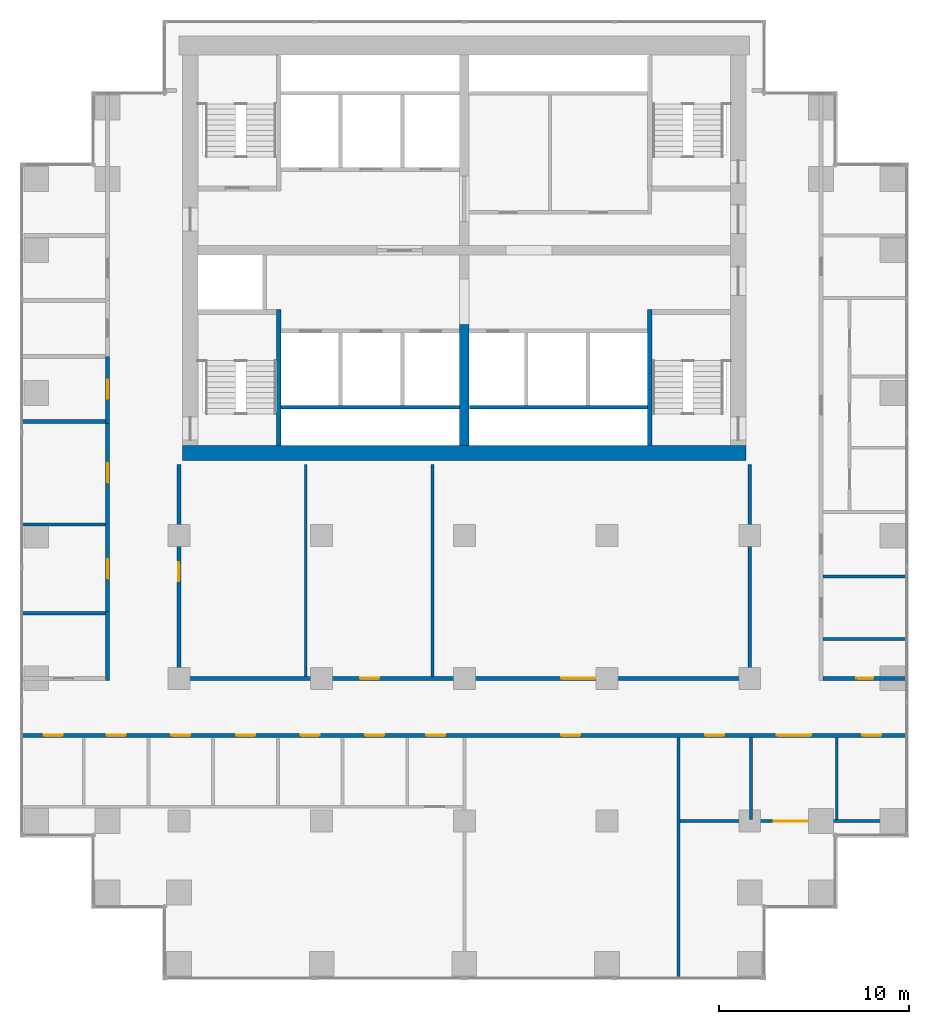
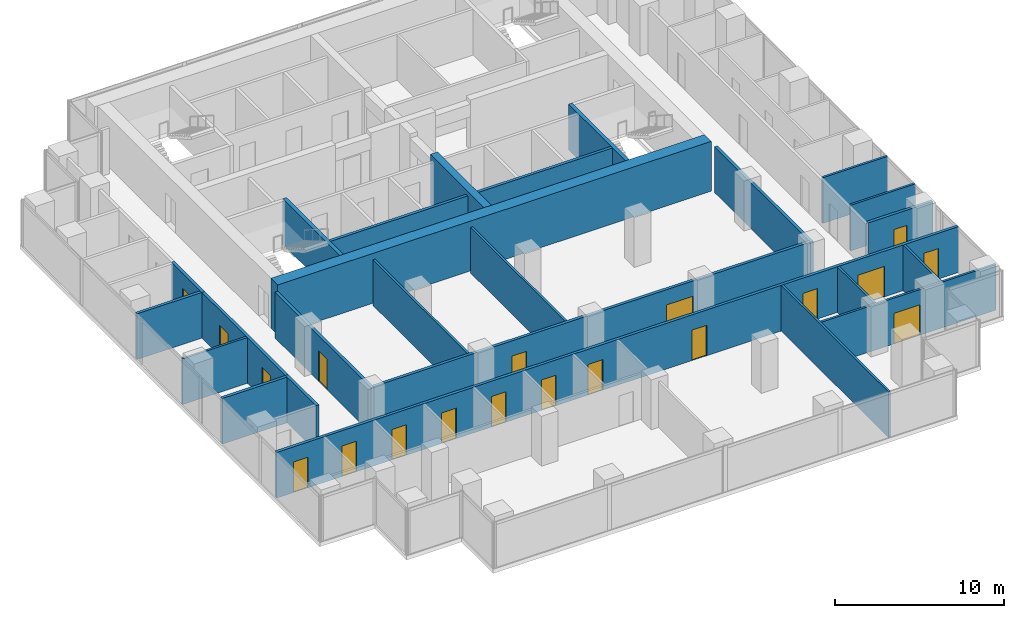
# One storey, part 7 of 11: 25 walls, 19 doors, 19 openings.
"""IFC4 building model written with IfcOpenShell, lengths in metres."""

from ifc_helpers import new_model, si_unit, direction, frame, frame_2d, origin, place, context, subcontext, project, spatial, rectangle, extrude, material, layer, layer_set, type_object, element, fill, save


model = new_model("IFC4")

# Units and contexts
model_context = context("Model", 3, precision=1e-05, world=origin(), true_north=direction((0.0, 1.0)))
body_context = subcontext(model_context, "Body", "Model", "MODEL_VIEW")
ifc_project = project(units=[si_unit("LENGTHUNIT", "METRE"), si_unit("AREAUNIT", "SQUARE_METRE"), si_unit("VOLUMEUNIT", "CUBIC_METRE"), si_unit("PLANEANGLEUNIT", "RADIAN"), si_unit("MASSUNIT", "GRAM", prefix="KILO")], contexts=[model_context])

# Site, building, storey
site_placement = place(None, origin())
site = spatial("IfcSite", under=ifc_project, at=site_placement, CompositionType="ELEMENT")
building_placement = place(site_placement, origin())
building = spatial("IfcBuilding", under=site, at=building_placement, Name="Pilkhan Gate Tower", CompositionType="ELEMENT")
storey_placement = place(building_placement, frame((0.0, 0.0, 121.60009765625)))
storey = spatial("IfcBuildingStorey", under=building, at=storey_placement, Name="L30", CompositionType="ELEMENT", Elevation=121.60009765625)

# Wall
ifc_material_1 = material(Name="Concrete C60/75", Category="concrete")
ifc_layer_1 = layer(ifc_material_1, 0.800048828125)
ifc_layer_set_1 = layer_set([ifc_layer_1], Name="Core wall CW800 C60/75")
wall_type_1 = type_object("IfcWallType", Name="Core wall CW800 C60/75", PredefinedType="SHEAR", material=ifc_layer_set_1)
wall_1_placement = place(storey_placement, frame((60.199951171875, 71.85009765625, 0.0), z_axis=(0.0, 0.0, 1.0), x_axis=(1.0, 0.0, 0.0)))
element("IfcWall", 1, at=wall_1_placement, inside=storey, type_object=wall_type_1, Name="Core wall S L30", PredefinedType="SHEAR", context=body_context, shape_type="SweptSolid", body=[
    extrude(rectangle(XDim=29.60009765625, YDim=0.800048828125, at=frame_2d((14.800048828125, 0.0))), origin(), (0.0, 0.0, 1.0), 3.599853515625),
])

# Wall, openings, doors
ifc_material_2 = material(Name="Dense blockwork", Category="masonry")
ifc_layer_2 = layer(ifc_material_2, 0.199951171875)
ifc_layer_set_2 = layer_set([ifc_layer_2], Name="Corridor wall FW200")
wall_type_2 = type_object("IfcWallType", Name="Corridor wall FW200", PredefinedType="PARTITIONING", material=ifc_layer_set_2)
wall_2_placement = place(storey_placement, frame((51.735107421875, 57.0, 0.0), z_axis=(0.0, 0.0, 1.0), x_axis=(1.0, 0.0, 0.0)))
wall_2 = element("IfcWall", 2, at=wall_2_placement, inside=storey, type_object=wall_type_2, Name="Partition L30", PredefinedType="PARTITIONING", context=body_context, shape_type="SweptSolid", body=[
    extrude(rectangle(XDim=46.52978515625, YDim=0.199951171875, at=frame_2d((23.264892578125, 0.0))), origin(), (0.0, 0.0, 1.0), 3.2998046875),
])
opening_1_placement = place(wall_2_placement, frame((21.264892578125, 0.0, 0.0)))
opening_1 = element("IfcOpeningElement", 3, at=opening_1_placement, cuts=wall_2, Name="Opening L30-06", PredefinedType="OPENING", context=body_context, shape_type="SweptSolid", body=[
    extrude(rectangle(XDim=1.0, YDim=2.199951171875, at=frame_2d((0.5, 1.10009765625))), frame((0.0, 0.10986328125, 0.0), z_axis=(0.0, -1.0, 0.0), x_axis=(1.0, 0.0, 0.0)), (0.0, 0.0, 1.0), 0.219970703125),
])
opening_2_placement = place(wall_2_placement, frame((35.9150390625, 0.0, 0.0)))
opening_2 = element("IfcOpeningElement", 4, at=opening_2_placement, cuts=wall_2, Name="Opening L30-07", PredefinedType="OPENING", context=body_context, shape_type="SweptSolid", body=[
    extrude(rectangle(XDim=1.0, YDim=2.199951171875, at=frame_2d((0.5, 1.10009765625))), frame((0.0, 0.10986328125, 0.0), z_axis=(0.0, -1.0, 0.0), x_axis=(1.0, 0.0, 0.0)), (0.0, 0.0, 1.0), 0.219970703125),
])
opening_3_placement = place(wall_2_placement, frame((1.14990234375, 0.0, 0.0)))
opening_3 = element("IfcOpeningElement", 5, at=opening_3_placement, cuts=wall_2, Name="Opening L30-18", PredefinedType="OPENING", context=body_context, shape_type="SweptSolid", body=[
    extrude(rectangle(XDim=1.0, YDim=2.199951171875, at=frame_2d((0.5, 1.10009765625))), frame((0.0, 0.10986328125, 0.0), z_axis=(0.0, -1.0, 0.0), x_axis=(1.0, 0.0, 0.0)), (0.0, 0.0, 1.0), 0.219970703125),
])
opening_4_placement = place(wall_2_placement, frame((4.465087890625, 0.0, 0.0)))
opening_4 = element("IfcOpeningElement", 6, at=opening_4_placement, cuts=wall_2, Name="Opening L30-19", PredefinedType="OPENING", context=body_context, shape_type="SweptSolid", body=[
    extrude(rectangle(XDim=1.0, YDim=2.199951171875, at=frame_2d((0.5, 1.10009765625))), frame((0.0, 0.10986328125, 0.0), z_axis=(0.0, -1.0, 0.0), x_axis=(1.0, 0.0, 0.0)), (0.0, 0.0, 1.0), 0.219970703125),
])
opening_5_placement = place(wall_2_placement, frame((7.864990234375, 0.0, 0.0)))
opening_5 = element("IfcOpeningElement", 7, at=opening_5_placement, cuts=wall_2, Name="Opening L30-20", PredefinedType="OPENING", context=body_context, shape_type="SweptSolid", body=[
    extrude(rectangle(XDim=1.0, YDim=2.199951171875, at=frame_2d((0.5, 1.10009765625))), frame((0.0, 0.10986328125, 0.0), z_axis=(0.0, -1.0, 0.0), x_axis=(1.0, 0.0, 0.0)), (0.0, 0.0, 1.0), 0.219970703125),
])
opening_6_placement = place(wall_2_placement, frame((11.264892578125, 0.0, 0.0)))
opening_6 = element("IfcOpeningElement", 8, at=opening_6_placement, cuts=wall_2, Name="Opening L30-21", PredefinedType="OPENING", context=body_context, shape_type="SweptSolid", body=[
    extrude(rectangle(XDim=1.0, YDim=2.199951171875, at=frame_2d((0.5, 1.10009765625))), frame((0.0, 0.10986328125, 0.0), z_axis=(0.0, -1.0, 0.0), x_axis=(1.0, 0.0, 0.0)), (0.0, 0.0, 1.0), 0.219970703125),
])
opening_7_placement = place(wall_2_placement, frame((14.6650390625, 0.0, 0.0)))
opening_7 = element("IfcOpeningElement", 9, at=opening_7_placement, cuts=wall_2, Name="Opening L30-22", PredefinedType="OPENING", context=body_context, shape_type="SweptSolid", body=[
    extrude(rectangle(XDim=1.0, YDim=2.199951171875, at=frame_2d((0.5, 1.10009765625))), frame((0.0, 0.10986328125, 0.0), z_axis=(0.0, -1.0, 0.0), x_axis=(1.0, 0.0, 0.0)), (0.0, 0.0, 1.0), 0.219970703125),
])
opening_8_placement = place(wall_2_placement, frame((18.06494140625, 0.0, 0.0)))
opening_8 = element("IfcOpeningElement", 10, at=opening_8_placement, cuts=wall_2, Name="Opening L30-23", PredefinedType="OPENING", context=body_context, shape_type="SweptSolid", body=[
    extrude(rectangle(XDim=1.0, YDim=2.199951171875, at=frame_2d((0.5, 1.10009765625))), frame((0.0, 0.10986328125, 0.0), z_axis=(0.0, -1.0, 0.0), x_axis=(1.0, 0.0, 0.0)), (0.0, 0.0, 1.0), 0.219970703125),
])
opening_9_placement = place(wall_2_placement, frame((28.364990234375, 0.0, 0.0)))
opening_9 = element("IfcOpeningElement", 11, at=opening_9_placement, cuts=wall_2, Name="Opening L30-25", PredefinedType="OPENING", context=body_context, shape_type="SweptSolid", body=[
    extrude(rectangle(XDim=1.0, YDim=2.199951171875, at=frame_2d((0.5, 1.10009765625))), frame((0.0, 0.10986328125, 0.0), z_axis=(0.0, -1.0, 0.0), x_axis=(1.0, 0.0, 0.0)), (0.0, 0.0, 1.0), 0.219970703125),
])
opening_10_placement = place(wall_2_placement, frame((39.68994140625, 0.0, 0.0)))
opening_10 = element("IfcOpeningElement", 12, at=opening_10_placement, cuts=wall_2, Name="Opening L30-26", PredefinedType="OPENING", context=body_context, shape_type="SweptSolid", body=[
    extrude(rectangle(XDim=1.800048828125, YDim=2.199951171875, at=frame_2d((0.89990234375, 1.10009765625))), frame((0.0, 0.10986328125, 0.0), z_axis=(0.0, -1.0, 0.0), x_axis=(1.0, 0.0, 0.0)), (0.0, 0.0, 1.0), 0.219970703125),
])
opening_11_placement = place(wall_2_placement, frame((44.18994140625, 0.0, 0.0)))
opening_11 = element("IfcOpeningElement", 13, at=opening_11_placement, cuts=wall_2, Name="Opening L30-27", PredefinedType="OPENING", context=body_context, shape_type="SweptSolid", body=[
    extrude(rectangle(XDim=1.0, YDim=2.199951171875, at=frame_2d((0.5, 1.10009765625))), frame((0.0, 0.10986328125, 0.0), z_axis=(0.0, -1.0, 0.0), x_axis=(1.0, 0.0, 0.0)), (0.0, 0.0, 1.0), 0.219970703125),
])
ifc_material_3 = material(Name="Timber glazed double door, 30 minute fire resisting", Category="wood")
door_type_1 = type_object("IfcDoorType", Name="Double door D04 1800x2200", OperationType="DOUBLE_DOOR_SINGLE_SWING", PredefinedType="DOOR", material=ifc_material_3)
door_1_placement = place(opening_10_placement, origin())
door_1 = element("IfcDoor", 14, at=door_1_placement, inside=storey, type_object=door_type_1, Name="Double door", OperationType="DOUBLE_DOOR_SINGLE_SWING", OverallHeight=2.199951171875, OverallWidth=1.800048828125, PredefinedType="DOOR", context=body_context, shape_type="SweptSolid", body=[
    extrude(rectangle(XDim=1.800048828125, YDim=2.199951171875, at=frame_2d((0.89990234375, 1.10009765625))), frame((0.0, 0.02490234375, 0.0), z_axis=(0.0, -1.0, 0.0), x_axis=(1.0, 0.0, 0.0)), (0.0, 0.0, 1.0), 0.050048828125),
])
fill(opening_10, door_1)
ifc_material_4 = material(Name="Timber flush door, 30 minute fire resisting", Category="wood")
door_type_2 = type_object("IfcDoorType", Name="Room door D03 1000x2200", OperationType="SINGLE_SWING_LEFT", PredefinedType="DOOR", material=ifc_material_4)
door_2_placement = place(opening_1_placement, origin())
door_2 = element("IfcDoor", 15, at=door_2_placement, inside=storey, type_object=door_type_2, Name="Room door", OperationType="SINGLE_SWING_LEFT", OverallHeight=2.199951171875, OverallWidth=1.0, PredefinedType="DOOR", context=body_context, shape_type="SweptSolid", body=[
    extrude(rectangle(XDim=1.0, YDim=2.199951171875, at=frame_2d((0.5, 1.10009765625))), frame((0.0, 0.02490234375, 0.0), z_axis=(0.0, -1.0, 0.0), x_axis=(1.0, 0.0, 0.0)), (0.0, 0.0, 1.0), 0.050048828125),
])
fill(opening_1, door_2)
door_3_placement = place(opening_2_placement, origin())
door_3 = element("IfcDoor", 16, at=door_3_placement, inside=storey, type_object=door_type_2, Name="Room door", OperationType="SINGLE_SWING_LEFT", OverallHeight=2.199951171875, OverallWidth=1.0, PredefinedType="DOOR", context=body_context, shape_type="SweptSolid", body=[
    extrude(rectangle(XDim=1.0, YDim=2.199951171875, at=frame_2d((0.5, 1.10009765625))), frame((0.0, 0.02490234375, 0.0), z_axis=(0.0, -1.0, 0.0), x_axis=(1.0, 0.0, 0.0)), (0.0, 0.0, 1.0), 0.050048828125),
])
fill(opening_2, door_3)
door_4_placement = place(opening_3_placement, origin())
door_4 = element("IfcDoor", 17, at=door_4_placement, inside=storey, type_object=door_type_2, Name="Room door", OperationType="SINGLE_SWING_LEFT", OverallHeight=2.199951171875, OverallWidth=1.0, PredefinedType="DOOR", context=body_context, shape_type="SweptSolid", body=[
    extrude(rectangle(XDim=1.0, YDim=2.199951171875, at=frame_2d((0.5, 1.10009765625))), frame((0.0, 0.02490234375, 0.0), z_axis=(0.0, -1.0, 0.0), x_axis=(1.0, 0.0, 0.0)), (0.0, 0.0, 1.0), 0.050048828125),
])
fill(opening_3, door_4)
door_5_placement = place(opening_4_placement, origin())
door_5 = element("IfcDoor", 18, at=door_5_placement, inside=storey, type_object=door_type_2, Name="Room door", OperationType="SINGLE_SWING_LEFT", OverallHeight=2.199951171875, OverallWidth=1.0, PredefinedType="DOOR", context=body_context, shape_type="SweptSolid", body=[
    extrude(rectangle(XDim=1.0, YDim=2.199951171875, at=frame_2d((0.5, 1.10009765625))), frame((0.0, 0.02490234375, 0.0), z_axis=(0.0, -1.0, 0.0), x_axis=(1.0, 0.0, 0.0)), (0.0, 0.0, 1.0), 0.050048828125),
])
fill(opening_4, door_5)
door_6_placement = place(opening_5_placement, origin())
door_6 = element("IfcDoor", 19, at=door_6_placement, inside=storey, type_object=door_type_2, Name="Room door", OperationType="SINGLE_SWING_LEFT", OverallHeight=2.199951171875, OverallWidth=1.0, PredefinedType="DOOR", context=body_context, shape_type="SweptSolid", body=[
    extrude(rectangle(XDim=1.0, YDim=2.199951171875, at=frame_2d((0.5, 1.10009765625))), frame((0.0, 0.02490234375, 0.0), z_axis=(0.0, -1.0, 0.0), x_axis=(1.0, 0.0, 0.0)), (0.0, 0.0, 1.0), 0.050048828125),
])
fill(opening_5, door_6)
door_7_placement = place(opening_6_placement, origin())
door_7 = element("IfcDoor", 20, at=door_7_placement, inside=storey, type_object=door_type_2, Name="Room door", OperationType="SINGLE_SWING_LEFT", OverallHeight=2.199951171875, OverallWidth=1.0, PredefinedType="DOOR", context=body_context, shape_type="SweptSolid", body=[
    extrude(rectangle(XDim=1.0, YDim=2.199951171875, at=frame_2d((0.5, 1.10009765625))), frame((0.0, 0.02490234375, 0.0), z_axis=(0.0, -1.0, 0.0), x_axis=(1.0, 0.0, 0.0)), (0.0, 0.0, 1.0), 0.050048828125),
])
fill(opening_6, door_7)
door_8_placement = place(opening_7_placement, origin())
door_8 = element("IfcDoor", 21, at=door_8_placement, inside=storey, type_object=door_type_2, Name="Room door", OperationType="SINGLE_SWING_LEFT", OverallHeight=2.199951171875, OverallWidth=1.0, PredefinedType="DOOR", context=body_context, shape_type="SweptSolid", body=[
    extrude(rectangle(XDim=1.0, YDim=2.199951171875, at=frame_2d((0.5, 1.10009765625))), frame((0.0, 0.02490234375, 0.0), z_axis=(0.0, -1.0, 0.0), x_axis=(1.0, 0.0, 0.0)), (0.0, 0.0, 1.0), 0.050048828125),
])
fill(opening_7, door_8)
door_9_placement = place(opening_8_placement, origin())
door_9 = element("IfcDoor", 22, at=door_9_placement, inside=storey, type_object=door_type_2, Name="Room door", OperationType="SINGLE_SWING_LEFT", OverallHeight=2.199951171875, OverallWidth=1.0, PredefinedType="DOOR", context=body_context, shape_type="SweptSolid", body=[
    extrude(rectangle(XDim=1.0, YDim=2.199951171875, at=frame_2d((0.5, 1.10009765625))), frame((0.0, 0.02490234375, 0.0), z_axis=(0.0, -1.0, 0.0), x_axis=(1.0, 0.0, 0.0)), (0.0, 0.0, 1.0), 0.050048828125),
])
fill(opening_8, door_9)
door_10_placement = place(opening_9_placement, origin())
door_10 = element("IfcDoor", 23, at=door_10_placement, inside=storey, type_object=door_type_2, Name="Room door", OperationType="SINGLE_SWING_RIGHT", OverallHeight=2.199951171875, OverallWidth=1.0, PredefinedType="DOOR", context=body_context, shape_type="SweptSolid", body=[
    extrude(rectangle(XDim=1.0, YDim=2.199951171875, at=frame_2d((0.5, 1.10009765625))), frame((0.0, 0.02490234375, 0.0), z_axis=(0.0, -1.0, 0.0), x_axis=(1.0, 0.0, 0.0)), (0.0, 0.0, 1.0), 0.050048828125),
])
fill(opening_9, door_10)
door_11_placement = place(opening_11_placement, origin())
door_11 = element("IfcDoor", 24, at=door_11_placement, inside=storey, type_object=door_type_2, Name="Room door", OperationType="SINGLE_SWING_RIGHT", OverallHeight=2.199951171875, OverallWidth=1.0, PredefinedType="DOOR", context=body_context, shape_type="SweptSolid", body=[
    extrude(rectangle(XDim=1.0, YDim=2.199951171875, at=frame_2d((0.5, 1.10009765625))), frame((0.0, 0.02490234375, 0.0), z_axis=(0.0, -1.0, 0.0), x_axis=(1.0, 0.0, 0.0)), (0.0, 0.0, 1.0), 0.050048828125),
])
fill(opening_11, door_11)

wall_3_placement = place(storey_placement, frame((60.10009765625, 60.0, 0.0), z_axis=(0.0, 0.0, 1.0), x_axis=(1.0, 0.0, 0.0)))
wall_3 = element("IfcWall", 25, at=wall_3_placement, inside=storey, type_object=wall_type_2, Name="Partition L30", PredefinedType="PARTITIONING", context=body_context, shape_type="SweptSolid", body=[
    extrude(rectangle(XDim=29.7998046875, YDim=0.199951171875, at=frame_2d((14.89990234375, 0.0))), origin(), (0.0, 0.0, 1.0), 3.2998046875),
])
opening_12_placement = place(wall_3_placement, frame((9.4169921875, 0.0, 0.0)))
opening_12 = element("IfcOpeningElement", 26, at=opening_12_placement, cuts=wall_3, Name="Opening L30-39", PredefinedType="OPENING", context=body_context, shape_type="SweptSolid", body=[
    extrude(rectangle(XDim=1.0, YDim=2.199951171875, at=frame_2d((0.5, 1.10009765625))), frame((0.0, 0.10986328125, 0.0), z_axis=(0.0, -1.0, 0.0), x_axis=(1.0, 0.0, 0.0)), (0.0, 0.0, 1.0), 0.219970703125),
])
opening_13_placement = place(wall_3_placement, frame((19.98291015625, 0.0, 0.0)))
opening_13 = element("IfcOpeningElement", 27, at=opening_13_placement, cuts=wall_3, Name="Opening L30-40", PredefinedType="OPENING", context=body_context, shape_type="SweptSolid", body=[
    extrude(rectangle(XDim=1.800048828125, YDim=2.199951171875, at=frame_2d((0.89990234375, 1.10009765625))), frame((0.0, 0.10986328125, 0.0), z_axis=(0.0, -1.0, 0.0), x_axis=(1.0, 0.0, 0.0)), (0.0, 0.0, 1.0), 0.219970703125),
])
door_12_placement = place(opening_13_placement, origin())
door_12 = element("IfcDoor", 28, at=door_12_placement, inside=storey, type_object=door_type_1, Name="Double door", OperationType="DOUBLE_DOOR_SINGLE_SWING", OverallHeight=2.199951171875, OverallWidth=1.800048828125, PredefinedType="DOOR", context=body_context, shape_type="SweptSolid", body=[
    extrude(rectangle(XDim=1.800048828125, YDim=2.199951171875, at=frame_2d((0.89990234375, 1.10009765625))), frame((0.0, 0.02490234375, 0.0), z_axis=(0.0, -1.0, 0.0), x_axis=(1.0, 0.0, 0.0)), (0.0, 0.0, 1.0), 0.050048828125),
])
fill(opening_13, door_12)
door_13_placement = place(opening_12_placement, origin())
door_13 = element("IfcDoor", 29, at=door_13_placement, inside=storey, type_object=door_type_2, Name="Room door", OperationType="SINGLE_SWING_LEFT", OverallHeight=2.199951171875, OverallWidth=1.0, PredefinedType="DOOR", context=body_context, shape_type="SweptSolid", body=[
    extrude(rectangle(XDim=1.0, YDim=2.199951171875, at=frame_2d((0.5, 1.10009765625))), frame((0.0, 0.02490234375, 0.0), z_axis=(0.0, -1.0, 0.0), x_axis=(1.0, 0.0, 0.0)), (0.0, 0.0, 1.0), 0.050048828125),
])
fill(opening_12, door_13)

# Wall, opening, door
wall_4_placement = place(storey_placement, frame((93.85009765625, 60.0, 0.0), z_axis=(0.0, 0.0, 1.0), x_axis=(1.0, 0.0, 0.0)))
wall_4 = element("IfcWall", 30, at=wall_4_placement, inside=storey, type_object=wall_type_2, Name="Partition L30", PredefinedType="PARTITIONING", context=body_context, shape_type="SweptSolid", body=[
    extrude(rectangle(XDim=4.414794921875, YDim=0.199951171875, at=frame_2d((2.20751953125, 0.0))), origin(), (0.0, 0.0, 1.0), 3.2998046875),
])
opening_14_placement = place(wall_4_placement, frame((1.75, 0.0, 0.0)))
opening_14 = element("IfcOpeningElement", 31, at=opening_14_placement, cuts=wall_4, Name="Opening L30-35", PredefinedType="OPENING", context=body_context, shape_type="SweptSolid", body=[
    extrude(rectangle(XDim=0.89990234375, YDim=2.199951171875, at=frame_2d((0.449951171875, 1.10009765625))), frame((0.0, 0.10986328125, 0.0), z_axis=(0.0, -1.0, 0.0), x_axis=(1.0, 0.0, 0.0)), (0.0, 0.0, 1.0), 0.219970703125),
])
ifc_material_5 = material(Name="Timber flush door, 60 minute fire resisting, self-closing", Category="wood")
door_type_3 = type_object("IfcDoorType", Name="Store door D05 900x2200", OperationType="SINGLE_SWING_LEFT", PredefinedType="DOOR", material=ifc_material_5)
door_14_placement = place(opening_14_placement, origin())
door_14 = element("IfcDoor", 32, at=door_14_placement, inside=storey, type_object=door_type_3, Name="Store door", OperationType="SINGLE_SWING_LEFT", OverallHeight=2.199951171875, OverallWidth=0.89990234375, PredefinedType="DOOR", context=body_context, shape_type="SweptSolid", body=[
    extrude(rectangle(XDim=0.89990234375, YDim=2.199951171875, at=frame_2d((0.449951171875, 1.10009765625))), frame((0.0, 0.02490234375, 0.0), z_axis=(0.0, -1.0, 0.0), x_axis=(1.0, 0.0, 0.0)), (0.0, 0.0, 1.0), 0.050048828125),
])
fill(opening_14, door_14)

# Wall, openings, doors
wall_5_placement = place(storey_placement, frame((56.25, 63.41796875, 0.0), z_axis=(0.0, 0.0, 1.0), x_axis=(0.0, 1.0, 0.0)))
wall_5 = element("IfcWall", 33, at=wall_5_placement, inside=storey, type_object=wall_type_2, Name="Partition L30", PredefinedType="PARTITIONING", context=body_context, shape_type="SweptSolid", body=[
    extrude(rectangle(XDim=10.074951171875, YDim=0.199951171875, at=frame_2d((5.03759765625, 0.0))), origin(), (0.0, 0.0, 1.0), 3.2998046875),
])
opening_15_placement = place(wall_5_placement, frame((1.85009765625, 0.0, 0.0)))
opening_15 = element("IfcOpeningElement", 34, at=opening_15_placement, cuts=wall_5, Name="Opening L30-29", PredefinedType="OPENING", context=body_context, shape_type="SweptSolid", body=[
    extrude(rectangle(XDim=1.0, YDim=2.199951171875, at=frame_2d((0.5, 1.10009765625))), frame((0.0, 0.10986328125, 0.0), z_axis=(0.0, -1.0, 0.0), x_axis=(1.0, 0.0, 0.0)), (0.0, 0.0, 1.0), 0.219970703125),
])
opening_16_placement = place(wall_5_placement, frame((6.8779296875, 0.0, 0.0)))
opening_16 = element("IfcOpeningElement", 35, at=opening_16_placement, cuts=wall_5, Name="Opening L30-30", PredefinedType="OPENING", context=body_context, shape_type="SweptSolid", body=[
    extrude(rectangle(XDim=1.0, YDim=2.199951171875, at=frame_2d((0.5, 1.10009765625))), frame((0.0, 0.10986328125, 0.0), z_axis=(0.0, -1.0, 0.0), x_axis=(1.0, 0.0, 0.0)), (0.0, 0.0, 1.0), 0.219970703125),
])
door_15_placement = place(opening_15_placement, origin())
door_15 = element("IfcDoor", 36, at=door_15_placement, inside=storey, type_object=door_type_2, Name="Room door", OperationType="SINGLE_SWING_LEFT", OverallHeight=2.199951171875, OverallWidth=1.0, PredefinedType="DOOR", context=body_context, shape_type="SweptSolid", body=[
    extrude(rectangle(XDim=1.0, YDim=2.199951171875, at=frame_2d((0.5, 1.10009765625))), frame((0.0, 0.02490234375, 0.0), z_axis=(0.0, -1.0, 0.0), x_axis=(1.0, 0.0, 0.0)), (0.0, 0.0, 1.0), 0.050048828125),
])
fill(opening_15, door_15)
door_16_placement = place(opening_16_placement, origin())
door_16 = element("IfcDoor", 37, at=door_16_placement, inside=storey, type_object=door_type_2, Name="Room door", OperationType="SINGLE_SWING_LEFT", OverallHeight=2.199951171875, OverallWidth=1.0, PredefinedType="DOOR", context=body_context, shape_type="SweptSolid", body=[
    extrude(rectangle(XDim=1.0, YDim=2.199951171875, at=frame_2d((0.5, 1.10009765625))), frame((0.0, 0.02490234375, 0.0), z_axis=(0.0, -1.0, 0.0), x_axis=(1.0, 0.0, 0.0)), (0.0, 0.0, 1.0), 0.050048828125),
])
fill(opening_16, door_16)

# Wall, opening, door
wall_6_placement = place(storey_placement, frame((60.0, 59.89990234375, 0.0), z_axis=(0.0, 0.0, 1.0), x_axis=(0.0, 1.0, 0.0)))
wall_6 = element("IfcWall", 38, at=wall_6_placement, inside=storey, type_object=wall_type_2, Name="Partition L30", PredefinedType="PARTITIONING", context=body_context, shape_type="SweptSolid", body=[
    extrude(rectangle(XDim=11.35009765625, YDim=0.199951171875, at=frame_2d((5.675048828125, 0.0))), origin(), (0.0, 0.0, 1.0), 3.2998046875),
])
opening_17_placement = place(wall_6_placement, frame((5.199951171875, 0.0, 0.0)))
opening_17 = element("IfcOpeningElement", 39, at=opening_17_placement, cuts=wall_6, Name="Opening L30-38", PredefinedType="OPENING", context=body_context, shape_type="SweptSolid", body=[
    extrude(rectangle(XDim=1.0, YDim=2.199951171875, at=frame_2d((0.5, 1.10009765625))), frame((0.0, 0.10986328125, 0.0), z_axis=(0.0, -1.0, 0.0), x_axis=(1.0, 0.0, 0.0)), (0.0, 0.0, 1.0), 0.219970703125),
])
door_17_placement = place(opening_17_placement, origin())
door_17 = element("IfcDoor", 40, at=door_17_placement, inside=storey, type_object=door_type_2, Name="Room door", OperationType="SINGLE_SWING_LEFT", OverallHeight=2.199951171875, OverallWidth=1.0, PredefinedType="DOOR", context=body_context, shape_type="SweptSolid", body=[
    extrude(rectangle(XDim=1.0, YDim=2.199951171875, at=frame_2d((0.5, 1.10009765625))), frame((0.0, 0.02490234375, 0.0), z_axis=(0.0, -1.0, 0.0), x_axis=(1.0, 0.0, 0.0)), (0.0, 0.0, 1.0), 0.050048828125),
])
fill(opening_17, door_17)

# Walls
wall_7_placement = place(storey_placement, frame((90.0, 59.89990234375, 0.0), z_axis=(0.0, 0.0, 1.0), x_axis=(0.0, 1.0, 0.0)))
element("IfcWall", 41, at=wall_7_placement, inside=storey, type_object=wall_type_2, Name="Partition L30", PredefinedType="PARTITIONING", context=body_context, shape_type="SweptSolid", body=[
    extrude(rectangle(XDim=11.35009765625, YDim=0.199951171875, at=frame_2d((5.675048828125, 0.0))), origin(), (0.0, 0.0, 1.0), 3.2998046875),
])
ifc_layer_3 = layer(ifc_material_2, 0.199951171875)
ifc_layer_set_3 = layer_set([ifc_layer_3], Name="Lobby wall LW200")
wall_type_3 = type_object("IfcWallType", Name="Lobby wall LW200", PredefinedType="PARTITIONING", material=ifc_layer_set_3)
for number, where, z_axis, x_axis, name in (
    (42, (51.735107421875, 63.41796875, 0.0), (0.0, 0.0, 1.0), (1.0, 0.0, 0.0), "Partition L30"),
    (43, (51.735107421875, 73.492919921875, 0.0), (0.0, 0.0, 1.0), (1.0, 0.0, 0.0), "Partition L30"),
):
    element("IfcWall", number, at=place(storey_placement, frame(where, z_axis=z_axis, x_axis=x_axis)), inside=storey, type_object=wall_type_3, Name=name, PredefinedType="PARTITIONING", context=body_context, shape_type="SweptSolid", body=[
        extrude(rectangle(XDim=4.414794921875, YDim=0.199951171875, at=frame_2d((2.20751953125, 0.0))), origin(), (0.0, 0.0, 1.0), 3.2998046875),
    ])
wall_8_placement = place(storey_placement, frame((56.25, 59.89990234375, 0.0), z_axis=(0.0, 0.0, 1.0), x_axis=(0.0, 1.0, 0.0)))
element("IfcWall", 44, at=wall_8_placement, inside=storey, type_object=wall_type_3, Name="Partition L30", PredefinedType="PARTITIONING", context=body_context, shape_type="SweptSolid", body=[
    extrude(rectangle(XDim=3.6181640625, YDim=0.199951171875, at=frame_2d((1.80908203125, 0.0))), origin(), (0.0, 0.0, 1.0), 3.2998046875),
])

# Wall, opening, door
wall_9_placement = place(storey_placement, frame((56.25, 73.39306640625, 0.0), z_axis=(0.0, 0.0, 1.0), x_axis=(0.0, 1.0, 0.0)))
wall_9 = element("IfcWall", 45, at=wall_9_placement, inside=storey, type_object=wall_type_3, Name="Partition L30", PredefinedType="PARTITIONING", context=body_context, shape_type="SweptSolid", body=[
    extrude(rectangle(XDim=3.617919921875, YDim=0.199951171875, at=frame_2d((1.80908203125, 0.0))), origin(), (0.0, 0.0, 1.0), 3.2998046875),
])
opening_18_placement = place(wall_9_placement, frame((1.300048828125, 0.0, 0.0)))
opening_18 = element("IfcOpeningElement", 46, at=opening_18_placement, cuts=wall_9, Name="Opening L30-09", PredefinedType="OPENING", context=body_context, shape_type="SweptSolid", body=[
    extrude(rectangle(XDim=1.0, YDim=2.199951171875, at=frame_2d((0.5, 1.10009765625))), frame((0.0, 0.10986328125, 0.0), z_axis=(0.0, -1.0, 0.0), x_axis=(1.0, 0.0, 0.0)), (0.0, 0.0, 1.0), 0.219970703125),
])
door_18_placement = place(opening_18_placement, origin())
door_18 = element("IfcDoor", 47, at=door_18_placement, inside=storey, type_object=door_type_2, Name="Room door", OperationType="SINGLE_SWING_LEFT", OverallHeight=2.199951171875, OverallWidth=1.0, PredefinedType="DOOR", context=body_context, shape_type="SweptSolid", body=[
    extrude(rectangle(XDim=1.0, YDim=2.199951171875, at=frame_2d((0.5, 1.10009765625))), frame((0.0, 0.02490234375, 0.0), z_axis=(0.0, -1.0, 0.0), x_axis=(1.0, 0.0, 0.0)), (0.0, 0.0, 1.0), 0.050048828125),
])
fill(opening_18, door_18)

ifc_material_6 = material(Name="Blockwork partition, plastered both sides", Category="masonry")
ifc_layer_4 = layer(ifc_material_6, 0.14990234375)
ifc_layer_set_4 = layer_set([ifc_layer_4], Name="Partition PW150")
wall_type_4 = type_object("IfcWallType", Name="Partition PW150", PredefinedType="PARTITIONING", material=ifc_layer_set_4)
wall_10_placement = place(storey_placement, frame((86.324951171875, 52.5, 0.0), z_axis=(0.0, 0.0, 1.0), x_axis=(1.0, 0.0, 0.0)))
wall_10 = element("IfcWall", 48, at=wall_10_placement, inside=storey, type_object=wall_type_4, Name="Partition L30", PredefinedType="PARTITIONING", context=body_context, shape_type="SweptSolid", body=[
    extrude(rectangle(XDim=11.93994140625, YDim=0.14990234375, at=frame_2d((5.969970703125, 0.0))), origin(), (0.0, 0.0, 1.0), 3.2998046875),
])
opening_19_placement = place(wall_10_placement, frame((4.949951171875, 0.0, 0.0)))
opening_19 = element("IfcOpeningElement", 49, at=opening_19_placement, cuts=wall_10, Name="Opening L30-28", PredefinedType="OPENING", context=body_context, shape_type="SweptSolid", body=[
    extrude(rectangle(XDim=1.800048828125, YDim=2.199951171875, at=frame_2d((0.89990234375, 1.10009765625))), frame((0.0, 0.0849609375, 0.0), z_axis=(0.0, -1.0, 0.0), x_axis=(1.0, 0.0, 0.0)), (0.0, 0.0, 1.0), 0.169921875),
])
door_19_placement = place(opening_19_placement, origin())
door_19 = element("IfcDoor", 50, at=door_19_placement, inside=storey, type_object=door_type_1, Name="Double door", OperationType="DOUBLE_DOOR_SINGLE_SWING", OverallHeight=2.199951171875, OverallWidth=1.800048828125, PredefinedType="DOOR", context=body_context, shape_type="SweptSolid", body=[
    extrude(rectangle(XDim=1.800048828125, YDim=2.199951171875, at=frame_2d((0.89990234375, 1.10009765625))), frame((0.0, 0.02490234375, 0.0), z_axis=(0.0, -1.0, 0.0), x_axis=(1.0, 0.0, 0.0)), (0.0, 0.0, 1.0), 0.050048828125),
])
fill(opening_19, door_19)

# Walls
for number, where, z_axis, x_axis, name in (
    (51, (93.85009765625, 62.068115234375, 0.0), (0.0, 0.0, 1.0), (1.0, 0.0, 0.0), "Partition L30"),
    (52, (93.85009765625, 65.345947265625, 0.0), (0.0, 0.0, 1.0), (1.0, 0.0, 0.0), "Partition L30"),
    (53, (51.735107421875, 68.095947265625, 0.0), (0.0, 0.0, 1.0), (1.0, 0.0, 0.0), "Partition L30"),
):
    element("IfcWall", number, at=place(storey_placement, frame(where, z_axis=z_axis, x_axis=x_axis)), inside=storey, type_object=wall_type_4, Name=name, PredefinedType="PARTITIONING", context=body_context, shape_type="SweptSolid", body=[
        extrude(rectangle(XDim=4.414794921875, YDim=0.14990234375, at=frame_2d((2.20751953125, 0.0))), origin(), (0.0, 0.0, 1.0), 3.2998046875),
    ])
for number, where, z_axis, x_axis, name in (
    (54, (66.6669921875, 60.10009765625, 0.0), (0.0, 0.0, 1.0), (0.0, 1.0, 0.0), "Partition L30"),
    (55, (73.3330078125, 60.10009765625, 0.0), (0.0, 0.0, 1.0), (0.0, 1.0, 0.0), "Partition L30"),
):
    element("IfcWall", number, at=place(storey_placement, frame(where, z_axis=z_axis, x_axis=x_axis)), inside=storey, type_object=wall_type_4, Name=name, PredefinedType="PARTITIONING", context=body_context, shape_type="SweptSolid", body=[
        extrude(rectangle(XDim=11.14990234375, YDim=0.14990234375, at=frame_2d((5.574951171875, 0.0))), origin(), (0.0, 0.0, 1.0), 3.2998046875),
    ])
wall_11_placement = place(storey_placement, frame((86.25, 44.235107421875, 0.0), z_axis=(0.0, 0.0, 1.0), x_axis=(0.0, 1.0, 0.0)))
element("IfcWall", 56, at=wall_11_placement, inside=storey, type_object=wall_type_4, Name="Partition L30", PredefinedType="PARTITIONING", context=body_context, shape_type="SweptSolid", body=[
    extrude(rectangle(XDim=12.664794921875, YDim=0.14990234375, at=frame_2d((6.33251953125, 0.0))), origin(), (0.0, 0.0, 1.0), 3.2998046875),
])
for number, where, z_axis, x_axis, name in (
    (57, (90.074951171875, 52.574951171875, 0.0), (0.0, 0.0, 1.0), (0.0, 1.0, 0.0), "Partition L30"),
    (58, (94.574951171875, 52.574951171875, 0.0), (0.0, 0.0, 1.0), (0.0, 1.0, 0.0), "Partition L30"),
):
    element("IfcWall", number, at=place(storey_placement, frame(where, z_axis=z_axis, x_axis=x_axis)), inside=storey, type_object=wall_type_4, Name=name, PredefinedType="PARTITIONING", context=body_context, shape_type="SweptSolid", body=[
        extrude(rectangle(XDim=4.324951171875, YDim=0.14990234375, at=frame_2d((2.16259765625, 0.0))), origin(), (0.0, 0.0, 1.0), 3.2998046875),
    ])
ifc_material_7 = material(Name="Reinforced blockwork shaft wall, 120 minute fire resisting", Category="masonry")
ifc_layer_5 = layer(ifc_material_7, 0.199951171875)
ifc_layer_set_5 = layer_set([ifc_layer_5], Name="Shaft wall SW200")
wall_type_5 = type_object("IfcWallType", Name="Shaft wall SW200", PredefinedType="PARTITIONING", material=ifc_layer_set_5)
for number, where, z_axis, x_axis, name in (
    (59, (65.375, 74.25, 0.0), (0.0, 0.0, 1.0), (1.0, 0.0, 0.0), "Partition L30"),
    (60, (75.260009765625, 74.25, 0.0), (0.0, 0.0, 1.0), (1.0, 0.0, 0.0), "Partition L30"),
):
    element("IfcWall", number, at=place(storey_placement, frame(where, z_axis=z_axis, x_axis=x_axis)), inside=storey, type_object=wall_type_5, Name=name, PredefinedType="PARTITIONING", context=body_context, shape_type="SweptSolid", body=[
        extrude(rectangle(XDim=9.364990234375, YDim=0.199951171875, at=frame_2d((4.6826171875, 0.0))), origin(), (0.0, 0.0, 1.0), 3.2998046875),
    ])
ifc_layer_6 = layer(ifc_material_1, 0.5)
ifc_layer_set_6 = layer_set([ifc_layer_6], Name="Spine wall SW500 C60/75")
wall_type_6 = type_object("IfcWallType", Name="Spine wall SW500 C60/75", PredefinedType="SHEAR", material=ifc_layer_set_6)
wall_12_placement = place(storey_placement, frame((75.0, 72.25, 0.0), z_axis=(0.0, 0.0, 1.0), x_axis=(0.0, 1.0, 0.0)))
element("IfcWall", 61, at=wall_12_placement, inside=storey, type_object=wall_type_6, Name="Spine wall SP-NS-S1 L30", PredefinedType="SHEAR", context=body_context, shape_type="SweptSolid", body=[
    extrude(rectangle(XDim=6.35009765625, YDim=0.5, at=frame_2d((3.175048828125, 0.0))), origin(), (0.0, 0.0, 1.0), 3.599853515625),
])
ifc_material_8 = material(Name="Reinforced blockwork, 120 minute fire resisting", Category="masonry")
ifc_layer_7 = layer(ifc_material_8, 0.25)
ifc_layer_set_7 = layer_set([ifc_layer_7], Name="Stair enclosure wall SE250")
wall_type_7 = type_object("IfcWallType", Name="Stair enclosure wall SE250", PredefinedType="PARTITIONING", material=ifc_layer_set_7)
for number, where, z_axis, x_axis, name in (
    (62, (65.25, 72.25, 0.0), (0.0, 0.0, 1.0), (0.0, 1.0, 0.0), "Partition L30"),
    (63, (84.75, 72.25, 0.0), (0.0, 0.0, 1.0), (0.0, 1.0, 0.0), "Partition L30"),
):
    element("IfcWall", number, at=place(storey_placement, frame(where, z_axis=z_axis, x_axis=x_axis)), inside=storey, type_object=wall_type_7, Name=name, PredefinedType="PARTITIONING", context=body_context, shape_type="SweptSolid", body=[
        extrude(rectangle(XDim=7.125, YDim=0.25, at=frame_2d((3.5625, 0.0))), origin(), (0.0, 0.0, 1.0), 3.2998046875),
    ])

save(model, "model.ifc")
